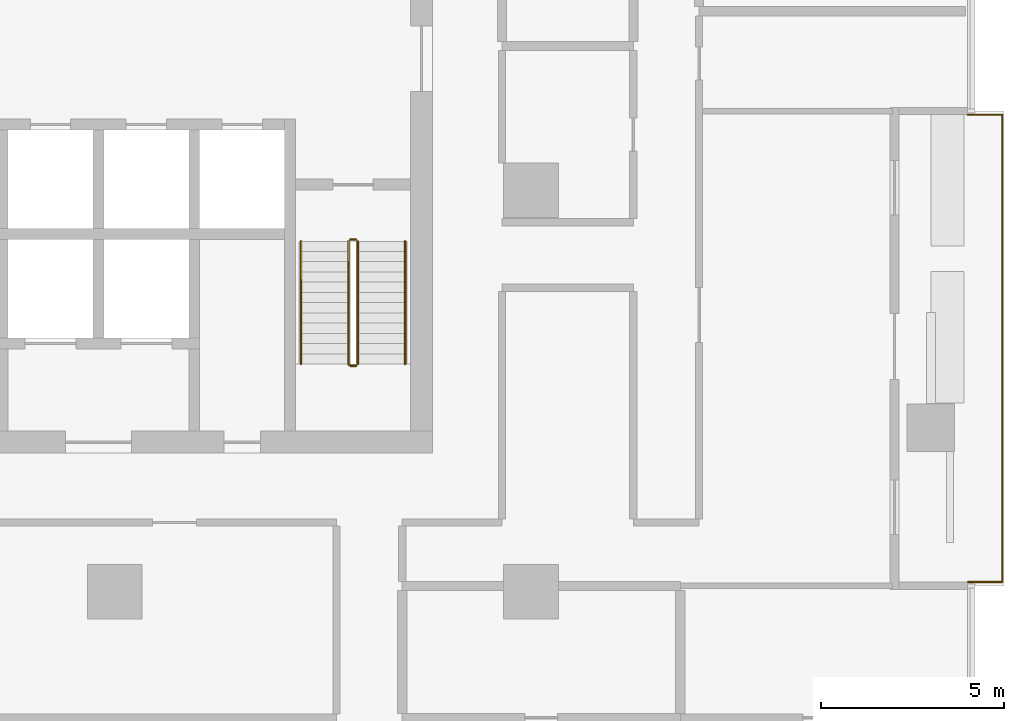
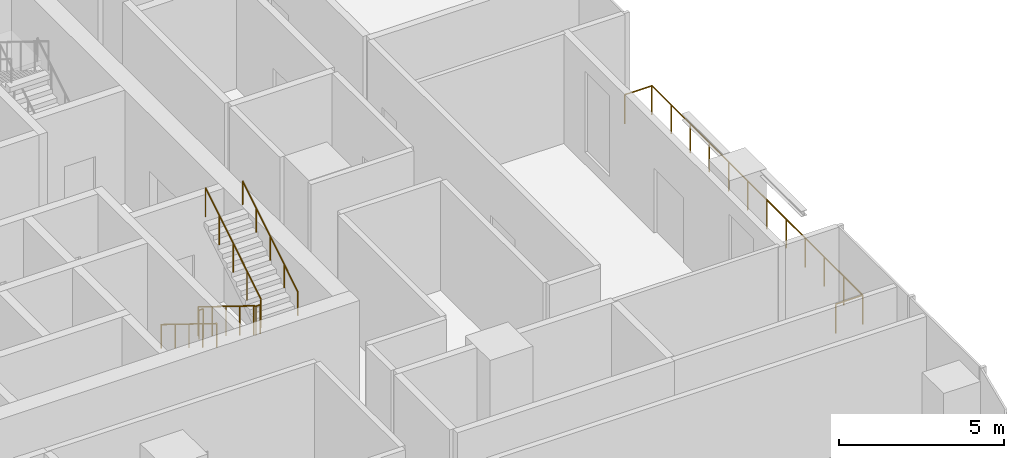
# One storey, part 13 of 14: 6 railings.
"""IFC4 building model written with IfcOpenShell, lengths in metres."""

from ifc_helpers import new_model, si_unit, direction, frame, origin, origin_2d, place, context, subcontext, project, spatial, circle, extrude, material, type_object, element, save


model = new_model("IFC4")

# Units and contexts
model_context = context("Model", 3, precision=1e-05, world=origin(), true_north=direction((0.0, 1.0)))
body_context = subcontext(model_context, "Body", "Model", "MODEL_VIEW")
ifc_project = project(units=[si_unit("LENGTHUNIT", "METRE"), si_unit("AREAUNIT", "SQUARE_METRE"), si_unit("VOLUMEUNIT", "CUBIC_METRE"), si_unit("PLANEANGLEUNIT", "RADIAN"), si_unit("MASSUNIT", "GRAM", prefix="KILO")], contexts=[model_context])

# Site, building, storey
site_placement = place(None, origin())
site = spatial("IfcSite", under=ifc_project, at=site_placement, CompositionType="ELEMENT")
building_placement = place(site_placement, origin())
building = spatial("IfcBuilding", under=site, at=building_placement, Name="Mopane Tessera Tower", CompositionType="ELEMENT")
storey_placement = place(building_placement, frame((0.0, 0.0, 130.60009765625)))
storey = spatial("IfcBuildingStorey", under=building, at=storey_placement, Name="L26", CompositionType="ELEMENT", Elevation=130.60009765625)

# Railings
ifc_material_1 = material(Name="Powder-coated steel balustrade", Category="steel")
railing_type_1 = type_object("IfcRailingType", Name="Escape stair guard 1100 mm", PredefinedType="GUARDRAIL", material=ifc_material_1)
railing_1_placement = place(storey_placement, frame((12.10009765625, -1.39990234375, 0.173095703125)))
element("IfcRailing", 1, at=railing_1_placement, inside=storey, type_object=railing_type_1, Name="L26 ST3 stair guard 1", PredefinedType="GUARDRAIL", context=body_context, shape_type="SweptSolid", body=[
    extrude(circle(Radius=0.02392578125, at=origin_2d()), frame((0.0, 0.0, 1.076171875), z_axis=(0.0, -0.850623216509, 0.525775754039), x_axis=(1.0, 0.0, 0.0)), (0.0, 0.0, 1.0), 3.9501953125),
    extrude(circle(Radius=0.02392578125, at=origin_2d()), frame((0.0, -3.360107421875, 3.15283203125), z_axis=(0.705375805398, -0.708833529934, 0.0), x_axis=(0.708833529934, 0.705375805398, 0.0)), (0.0, 0.0, 1.0), 0.070556640625),
    extrude(circle(Radius=0.02392578125, at=origin_2d()), frame((0.0498046875, -3.41015625, 3.15283203125), z_axis=(1.0, 0.0, 0.0), x_axis=(0.0, 1.0, 0.0)), (0.0, 0.0, 1.0), 0.150146484375),
    extrude(circle(Radius=0.02099609375, at=origin_2d()), origin(), (0.0, 0.0, 1.0), 1.052001953125),
    extrude(circle(Radius=0.02099609375, at=origin_2d()), frame((0.0, -0.840087890625, 0.519287109375)), (0.0, 0.0, 1.0), 1.052001953125),
    extrude(circle(Radius=0.02099609375, at=origin_2d()), frame((0.0, -1.68017578125, 1.03857421875)), (0.0, 0.0, 1.0), 1.052001953125),
    extrude(circle(Radius=0.02099609375, at=origin_2d()), frame((0.0, -2.52001953125, 1.5576171875)), (0.0, 0.0, 1.0), 1.052001953125),
    extrude(circle(Radius=0.02099609375, at=origin_2d()), frame((0.0, -3.360107421875, 2.076904296875)), (0.0, 0.0, 1.0), 1.052001953125),
    extrude(circle(Radius=0.02099609375, at=origin_2d()), frame((0.0498046875, -3.41015625, 2.076904296875)), (0.0, 0.0, 1.0), 1.052001953125),
    extrude(circle(Radius=0.02099609375, at=origin_2d()), frame((0.199951171875, -3.41015625, 2.076904296875)), (0.0, 0.0, 1.0), 1.052001953125),
])
railing_2_placement = place(storey_placement, frame((12.35009765625, -4.760009765625, 2.423095703125)))
element("IfcRailing", 2, at=railing_2_placement, inside=storey, type_object=railing_type_1, Name="L26 ST3 stair guard 2", PredefinedType="GUARDRAIL", context=body_context, shape_type="SweptSolid", body=[
    extrude(circle(Radius=0.02392578125, at=origin_2d()), frame((0.0, 0.0, 1.076171875), z_axis=(0.0, 0.850623216509, 0.525775754039), x_axis=(-1.0, 0.0, 0.0)), (0.0, 0.0, 1.0), 3.9501953125),
    extrude(circle(Radius=0.02099609375, at=origin_2d()), origin(), (0.0, 0.0, 1.0), 1.052001953125),
    extrude(circle(Radius=0.02099609375, at=origin_2d()), frame((0.0, 0.840087890625, 0.519287109375)), (0.0, 0.0, 1.0), 1.052001953125),
    extrude(circle(Radius=0.02099609375, at=origin_2d()), frame((0.0, 1.68017578125, 1.03857421875)), (0.0, 0.0, 1.0), 1.052001953125),
    extrude(circle(Radius=0.02099609375, at=origin_2d()), frame((0.0, 2.52001953125, 1.5576171875)), (0.0, 0.0, 1.0), 1.052001953125),
    extrude(circle(Radius=0.02099609375, at=origin_2d()), frame((0.0, 3.360107421875, 2.076904296875)), (0.0, 0.0, 1.0), 1.052001953125),
])
railing_3_placement = place(storey_placement, frame((12.14990234375, -1.35009765625, 0.0)))
element("IfcRailing", 3, at=railing_3_placement, inside=storey, type_object=railing_type_1, Name="L26 ST3 stair guard 3", PredefinedType="GUARDRAIL", context=body_context, shape_type="SweptSolid", body=[
    extrude(circle(Radius=0.02392578125, at=origin_2d()), frame((0.0, 0.0, 1.076171875), z_axis=(1.0, 0.0, 0.0), x_axis=(0.0, 1.0, 0.0)), (0.0, 0.0, 1.0), 0.150146484375),
    extrude(circle(Radius=0.02099609375, at=origin_2d()), origin(), (0.0, 0.0, 1.0), 1.052001953125),
    extrude(circle(Radius=0.02099609375, at=origin_2d()), frame((0.150146484375, 0.0, 0.0)), (0.0, 0.0, 1.0), 1.052001953125),
])
ifc_material_2 = material(Name="Powder-coated steel balustrade", Category="steel")
railing_type_2 = type_object("IfcRailingType", Name="Escape stair handrail 900 mm", PredefinedType="HANDRAIL", material=ifc_material_2)
railing_4_placement = place(storey_placement, frame((10.800048828125, -1.39990234375, 0.173095703125)))
element("IfcRailing", 4, at=railing_4_placement, inside=storey, type_object=railing_type_2, Name="L26 ST3 stair handrail 1", PredefinedType="HANDRAIL", context=body_context, shape_type="SweptSolid", body=[
    extrude(circle(Radius=0.02392578125, at=origin_2d()), frame((0.0, 0.0, 0.8759765625), z_axis=(0.0, -0.850623216509, 0.525775754039), x_axis=(1.0, 0.0, 0.0)), (0.0, 0.0, 1.0), 3.9501953125),
    extrude(circle(Radius=0.02099609375, at=origin_2d()), origin(), (0.0, 0.0, 1.0), 0.851806640625),
    extrude(circle(Radius=0.02099609375, at=origin_2d()), frame((0.0, -0.840087890625, 0.519287109375)), (0.0, 0.0, 1.0), 0.851806640625),
    extrude(circle(Radius=0.02099609375, at=origin_2d()), frame((0.0, -1.68017578125, 1.03857421875)), (0.0, 0.0, 1.0), 0.851806640625),
    extrude(circle(Radius=0.02099609375, at=origin_2d()), frame((0.0, -2.52001953125, 1.5576171875)), (0.0, 0.0, 1.0), 0.851806640625),
    extrude(circle(Radius=0.02099609375, at=origin_2d()), frame((0.0, -3.360107421875, 2.076904296875)), (0.0, 0.0, 1.0), 0.851806640625),
])
railing_5_placement = place(storey_placement, frame((13.64990234375, -4.760009765625, 2.423095703125)))
element("IfcRailing", 5, at=railing_5_placement, inside=storey, type_object=railing_type_2, Name="L26 ST3 stair handrail 2", PredefinedType="HANDRAIL", context=body_context, shape_type="SweptSolid", body=[
    extrude(circle(Radius=0.02392578125, at=origin_2d()), frame((0.0, 0.0, 0.8759765625), z_axis=(0.0, 0.850623216509, 0.525775754039), x_axis=(-1.0, 0.0, 0.0)), (0.0, 0.0, 1.0), 3.9501953125),
    extrude(circle(Radius=0.02099609375, at=origin_2d()), origin(), (0.0, 0.0, 1.0), 0.851806640625),
    extrude(circle(Radius=0.02099609375, at=origin_2d()), frame((0.0, 0.840087890625, 0.519287109375)), (0.0, 0.0, 1.0), 0.851806640625),
    extrude(circle(Radius=0.02099609375, at=origin_2d()), frame((0.0, 1.68017578125, 1.03857421875)), (0.0, 0.0, 1.0), 0.851806640625),
    extrude(circle(Radius=0.02099609375, at=origin_2d()), frame((0.0, 2.52001953125, 1.5576171875)), (0.0, 0.0, 1.0), 0.851806640625),
    extrude(circle(Radius=0.02099609375, at=origin_2d()), frame((0.0, 3.360107421875, 2.076904296875)), (0.0, 0.0, 1.0), 0.851806640625),
])
ifc_material_3 = material(Name="Stainless steel S316", Category="steel")
railing_type_3 = type_object("IfcRailingType", Name="Terrace guard 1100", PredefinedType="GUARDRAIL", material=ifc_material_3)
railing_6_placement = place(storey_placement, frame((29.050048828125, -10.7333984375, 0.0)))
element("IfcRailing", 6, at=railing_6_placement, inside=storey, type_object=railing_type_3, Name="e:nw:L26:N3:guard", PredefinedType="GUARDRAIL", context=body_context, shape_type="SweptSolid", body=[
    extrude(circle(Radius=0.02392578125, at=origin_2d()), frame((0.0, 0.0, 1.076171875), z_axis=(1.0, 0.0, 0.0), x_axis=(0.0, 1.0, 0.0)), (0.0, 0.0, 1.0), 0.949951171875),
    extrude(circle(Radius=0.02392578125, at=origin_2d()), frame((0.949951171875, 0.0, 1.076171875), z_axis=(0.0, 1.0, 0.0), x_axis=(-1.0, 0.0, 0.0)), (0.0, 0.0, 1.0), 12.800048828125),
    extrude(circle(Radius=0.02392578125, at=origin_2d()), frame((0.949951171875, 12.800048828125, 1.076171875), z_axis=(-1.0, 0.0, 0.0), x_axis=(0.0, -1.0, 0.0)), (0.0, 0.0, 1.0), 0.949951171875),
    extrude(circle(Radius=0.02099609375, at=origin_2d()), origin(), (0.0, 0.0, 1.0), 1.052001953125),
    extrude(circle(Radius=0.02099609375, at=origin_2d()), frame((0.949951171875, 0.0, 0.0)), (0.0, 0.0, 1.0), 1.052001953125),
    extrude(circle(Radius=0.02099609375, at=origin_2d()), frame((0.949951171875, 1.16357421875, 0.0)), (0.0, 0.0, 1.0), 1.052001953125),
    extrude(circle(Radius=0.02099609375, at=origin_2d()), frame((0.949951171875, 2.327392578125, 0.0)), (0.0, 0.0, 1.0), 1.052001953125),
    extrude(circle(Radius=0.02099609375, at=origin_2d()), frame((0.949951171875, 3.490966796875, 0.0)), (0.0, 0.0, 1.0), 1.052001953125),
    extrude(circle(Radius=0.02099609375, at=origin_2d()), frame((0.949951171875, 4.654541015625, 0.0)), (0.0, 0.0, 1.0), 1.052001953125),
    extrude(circle(Radius=0.02099609375, at=origin_2d()), frame((0.949951171875, 5.818115234375, 0.0)), (0.0, 0.0, 1.0), 1.052001953125),
    extrude(circle(Radius=0.02099609375, at=origin_2d()), frame((0.949951171875, 6.98193359375, 0.0)), (0.0, 0.0, 1.0), 1.052001953125),
    extrude(circle(Radius=0.02099609375, at=origin_2d()), frame((0.949951171875, 8.1455078125, 0.0)), (0.0, 0.0, 1.0), 1.052001953125),
    extrude(circle(Radius=0.02099609375, at=origin_2d()), frame((0.949951171875, 9.30908203125, 0.0)), (0.0, 0.0, 1.0), 1.052001953125),
    extrude(circle(Radius=0.02099609375, at=origin_2d()), frame((0.949951171875, 10.47265625, 0.0)), (0.0, 0.0, 1.0), 1.052001953125),
    extrude(circle(Radius=0.02099609375, at=origin_2d()), frame((0.949951171875, 11.636474609375, 0.0)), (0.0, 0.0, 1.0), 1.052001953125),
    extrude(circle(Radius=0.02099609375, at=origin_2d()), frame((0.949951171875, 12.800048828125, 0.0)), (0.0, 0.0, 1.0), 1.052001953125),
    extrude(circle(Radius=0.02099609375, at=origin_2d()), frame((0.0, 12.800048828125, 0.0)), (0.0, 0.0, 1.0), 1.052001953125),
])

save(model, "model.ifc")
